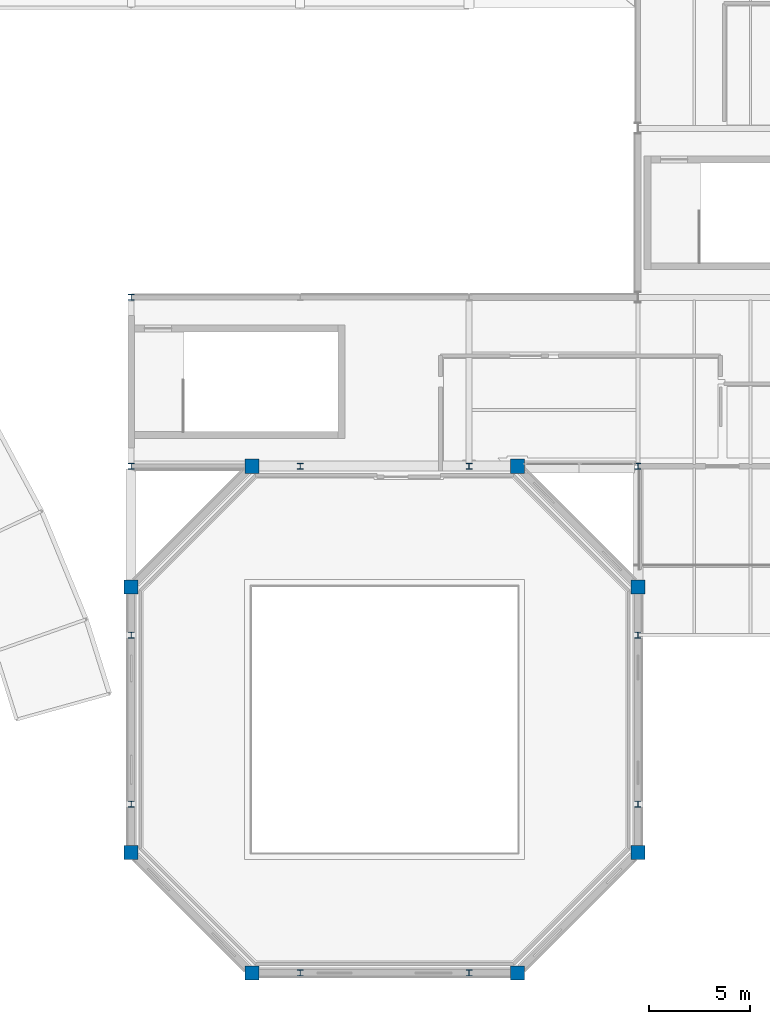
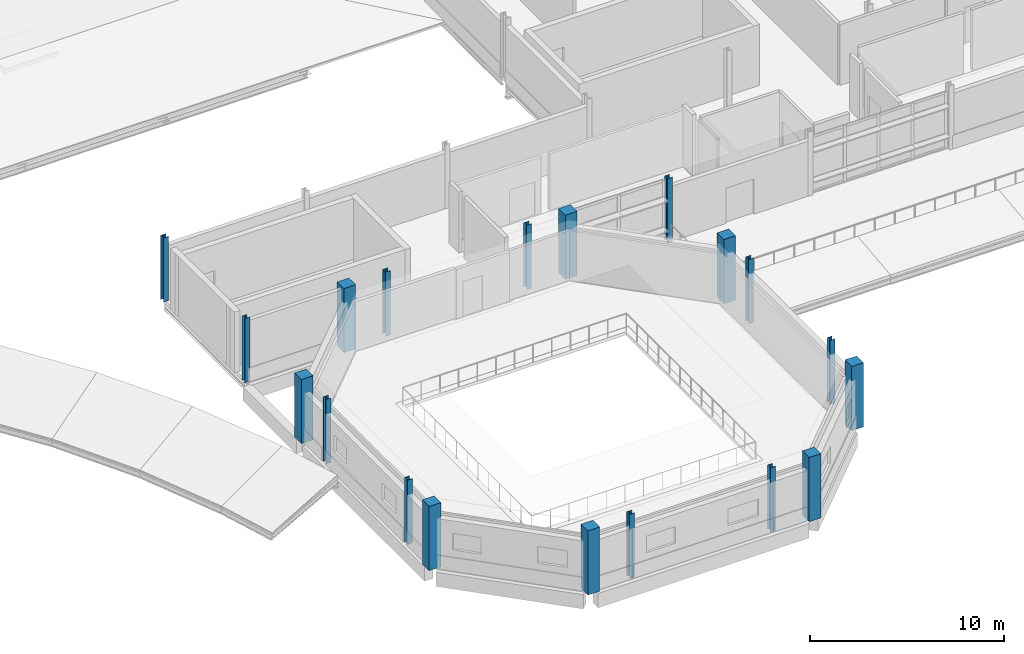
# One storey, part 1 of 151: 19 columns.
"""IFC4 building model written with IfcOpenShell, lengths in metres."""

from ifc_helpers import new_model, si_unit, direction, frame, origin, origin_2d, place, context, subcontext, project, spatial, rectangle, i_section, extrude, material, material_profile, profile_set, type_object, element, save


model = new_model("IFC4")

# Units and contexts
model_context = context("Model", 3, precision=1e-05, world=origin(), true_north=direction((0.0, 1.0)))
body_context = subcontext(model_context, "Body", "Model", "MODEL_VIEW")
ifc_project = project(units=[si_unit("LENGTHUNIT", "METRE"), si_unit("AREAUNIT", "SQUARE_METRE"), si_unit("VOLUMEUNIT", "CUBIC_METRE"), si_unit("PLANEANGLEUNIT", "RADIAN"), si_unit("MASSUNIT", "GRAM", prefix="KILO")], contexts=[model_context])

# Site, building, storey
site_placement = place(None, origin())
site = spatial("IfcSite", under=ifc_project, at=site_placement, CompositionType="ELEMENT")
building_placement = place(site_placement, origin())
building = spatial("IfcBuilding", under=site, at=building_placement, Name="Mersafa Astral City Hall", CompositionType="ELEMENT")
storey_placement = place(building_placement, frame((0.0, 0.0, 9.89990234375)))
storey = spatial("IfcBuildingStorey", under=building, at=storey_placement, Name="L02", CompositionType="ELEMENT", Elevation=9.89990234375)

# Columns
ifc_material_1 = material(Name="Steel S355", Category="steel")
ifc_material_profile_1 = material_profile(ifc_material_1, i_section(OverallWidth=0.300048828125, OverallDepth=0.300048828125, WebThickness=0.010986328125, FlangeThickness=0.01904296875, FilletRadius=0.027099609375, at=origin_2d()), Name="HEB 300")
ifc_profile_set_1 = profile_set([ifc_material_profile_1], Name="Steel S355")
column_type_1 = type_object("IfcColumnType", Name="STR-COL-HEB300", PredefinedType="COLUMN", material=ifc_profile_set_1)
for number, where, z_axis, x_axis, name in (
    (1, (67.199951171875, 8.39990234375, 0.0), (0.0, 0.0, 1.0), (1.0, 0.0, 0.0), "L02 Structural column G-08-01"),
    (2, (67.199951171875, 16.800048828125, 0.0), (0.0, 0.0, 1.0), (1.0, 0.0, 0.0), "L02 Structural column G-08-02"),
    (3, (67.199951171875, 25.199951171875, 0.0), (0.0, 0.0, 1.0), (1.0, 0.0, 0.0), "L02 Structural column G-08-03"),
    (4, (67.199951171875, 33.60009765625, 0.0), (0.0, 0.0, 1.0), (1.0, 0.0, 0.0), "L02 Structural column G-08-04"),
    (5, (75.60009765625, 0.0, 0.0), (0.0, 0.0, 1.0), (1.0, 0.0, 0.0), "L02 Structural column G-09-00"),
    (6, (75.60009765625, 25.199951171875, 0.0), (0.0, 0.0, 1.0), (1.0, 0.0, 0.0), "L02 Structural column G-09-03"),
    (7, (84.0, 0.0, 0.0), (0.0, 0.0, 1.0), (1.0, 0.0, 0.0), "L02 Structural column G-10-00"),
    (8, (84.0, 25.199951171875, 0.0), (0.0, 0.0, 1.0), (1.0, 0.0, 0.0), "L02 Structural column G-10-03"),
    (9, (92.39990234375, 8.39990234375, 0.0), (0.0, 0.0, 1.0), (1.0, 0.0, 0.0), "L02 Structural column G-11-01"),
    (10, (92.39990234375, 16.800048828125, 0.0), (0.0, 0.0, 1.0), (1.0, 0.0, 0.0), "L02 Structural column G-11-02"),
    (11, (92.39990234375, 25.199951171875, 0.0), (0.0, 0.0, 1.0), (1.0, 0.0, 0.0), "L02 Structural column G-11-03"),
):
    element("IfcColumn", number, at=place(storey_placement, frame(where, z_axis=z_axis, x_axis=x_axis)), inside=storey, type_object=column_type_1, Name=name, PredefinedType="COLUMN", context=body_context, shape_type="SweptSolid", body=[
        extrude(i_section(OverallWidth=0.300048828125, OverallDepth=0.300048828125, WebThickness=0.010986328125, FlangeThickness=0.01904296875, FilletRadius=0.027099609375, at=origin_2d()), origin(), (0.0, 0.0, 1.0), 4.050048828125),
    ])
ifc_material_2 = material(Name="Concrete C40/50", Category="concrete")
ifc_material_profile_2 = material_profile(ifc_material_2, rectangle(XDim=0.699951171875, YDim=0.699951171875, at=origin_2d()), Name="RC 700x700")
ifc_profile_set_2 = profile_set([ifc_material_profile_2], Name="Concrete C40/50")
column_type_2 = type_object("IfcColumnType", Name="STR-COL-RC700", PredefinedType="COLUMN", material=ifc_profile_set_2)
for number, where, z_axis, x_axis, name in (
    (12, (73.199951171875, 0.0, 0.0), (0.0, 0.0, 1.0), (1.0, 0.0, 0.0), "L02 Chamber perimeter column OCT-1"),
    (13, (86.39990234375, 0.0, 0.0), (0.0, 0.0, 1.0), (1.0, 0.0, 0.0), "L02 Chamber perimeter column OCT-2"),
    (14, (92.39990234375, 6.0, 0.0), (0.0, 0.0, 1.0), (1.0, 0.0, 0.0), "L02 Chamber perimeter column OCT-3"),
    (15, (92.39990234375, 19.199951171875, 0.0), (0.0, 0.0, 1.0), (1.0, 0.0, 0.0), "L02 Chamber perimeter column OCT-4"),
    (16, (86.39990234375, 25.199951171875, 0.0), (0.0, 0.0, 1.0), (1.0, 0.0, 0.0), "L02 Chamber perimeter column OCT-5"),
    (17, (73.199951171875, 25.199951171875, 0.0), (0.0, 0.0, 1.0), (1.0, 0.0, 0.0), "L02 Chamber perimeter column OCT-6"),
    (18, (67.199951171875, 19.199951171875, 0.0), (0.0, 0.0, 1.0), (1.0, 0.0, 0.0), "L02 Chamber perimeter column OCT-7"),
    (19, (67.199951171875, 6.0, 0.0), (0.0, 0.0, 1.0), (1.0, 0.0, 0.0), "L02 Chamber perimeter column OCT-8"),
):
    element("IfcColumn", number, at=place(storey_placement, frame(where, z_axis=z_axis, x_axis=x_axis)), inside=storey, type_object=column_type_2, Name=name, PredefinedType="COLUMN", context=body_context, shape_type="SweptSolid", body=[
        extrude(rectangle(XDim=0.699951171875, YDim=0.699951171875, at=origin_2d()), origin(), (0.0, 0.0, 1.0), 4.050048828125),
    ])

save(model, "model.ifc")
